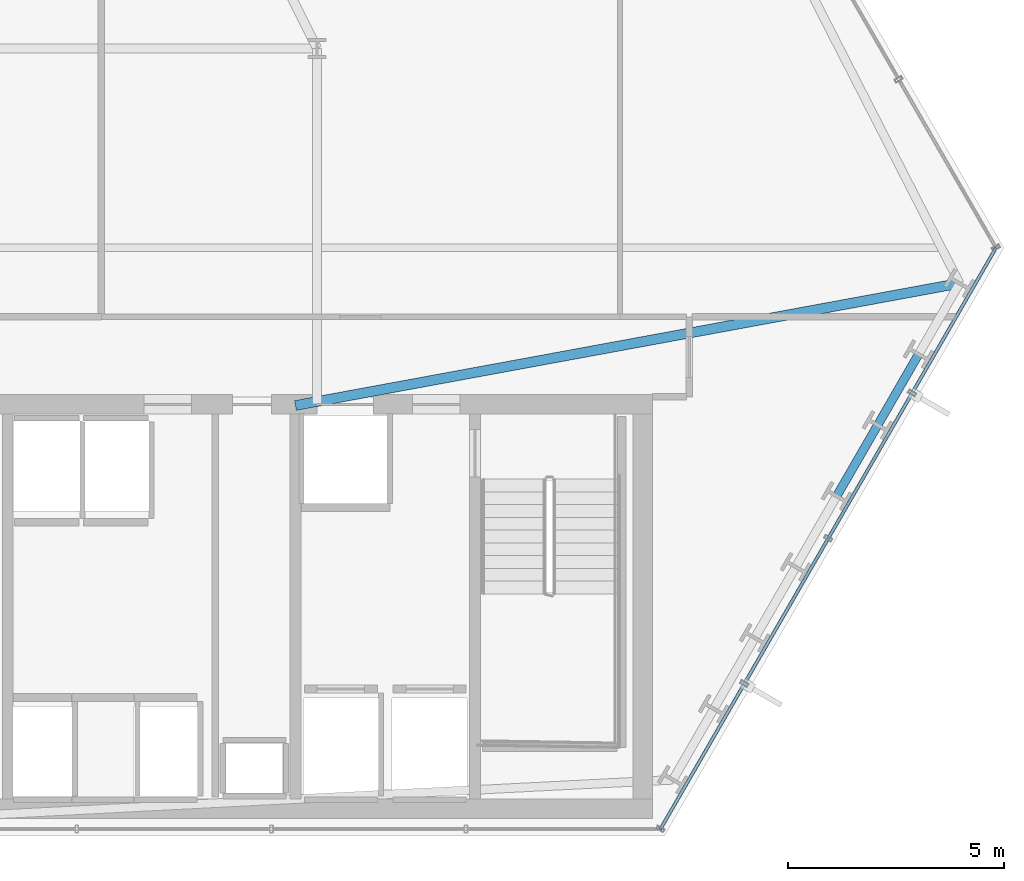
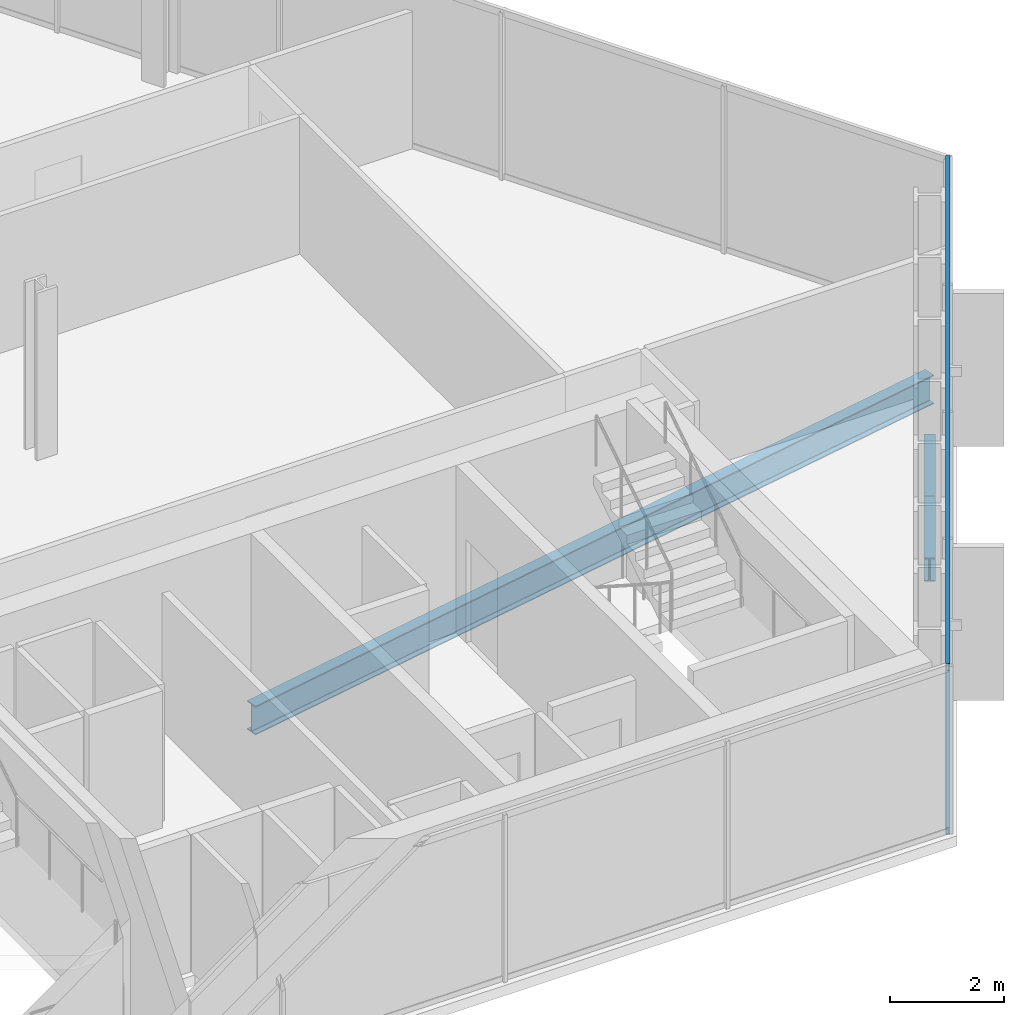
# One storey, part 16 of 32: 3 beams, 2 members, 1 element without a shape of its own.
"""IFC4 building model written with IfcOpenShell, lengths in metres."""

from ifc_helpers import new_model, si_unit, direction, frame, origin, origin_2d, place, context, subcontext, project, spatial, hollow_rectangle, i_section, extrude, material, layer, layer_set, material_profile, profile_set, type_object, element, aggregate, save


model = new_model("IFC4")

# Units and contexts
model_context = context("Model", 3, precision=1e-05, world=origin(), true_north=direction((0.0, 1.0)))
body_context = subcontext(model_context, "Body", "Model", "MODEL_VIEW")
ifc_project = project(units=[si_unit("LENGTHUNIT", "METRE"), si_unit("AREAUNIT", "SQUARE_METRE"), si_unit("VOLUMEUNIT", "CUBIC_METRE"), si_unit("PLANEANGLEUNIT", "RADIAN"), si_unit("MASSUNIT", "GRAM", prefix="KILO")], contexts=[model_context])

# Site, building, storey
site_placement = place(None, origin())
site = spatial("IfcSite", under=ifc_project, at=site_placement, CompositionType="ELEMENT")
building_placement = place(site_placement, origin())
building = spatial("IfcBuilding", under=site, at=building_placement, Name="Ndaravel Arena Tower", CompositionType="ELEMENT")
storey_placement = place(building_placement, frame((0.0, 0.0, 62.60009765625)))
storey = spatial("IfcBuildingStorey", under=building, at=storey_placement, Name="L13", CompositionType="ELEMENT", Elevation=62.60009765625)

# Beams
ifc_material_1 = material(Name="Steel S355", Category="steel")
ifc_material_profile_1 = material_profile(ifc_material_1, i_section(OverallWidth=0.230224609375, OverallDepth=0.6171875, WebThickness=0.01318359375, FlangeThickness=0.022216796875, FilletRadius=0.0126953125, at=origin_2d()), Name="UB 610x229x140")
ifc_profile_set_1 = profile_set([ifc_material_profile_1], Name="Steel S355")
beam_type_1 = type_object("IfcBeamType", Name="BM-GIRD-UB610B", PredefinedType="BEAM", material=ifc_profile_set_1)
beam_1_placement = place(storey_placement, frame((64.6484375, 17.7744140625, -0.52880859375), z_axis=(-0.983485958691, -0.180984444241, 0.0), x_axis=(0.180984444241, -0.983485958691, 0.0)))
element("IfcBeam", 1, at=beam_1_placement, inside=storey, type_object=beam_type_1, Name="L13 Radial Floor Girder FG-09", PredefinedType="BEAM", context=body_context, shape_type="SweptSolid", body=[
    extrude(i_section(OverallWidth=0.230224609375, OverallDepth=0.6171875, WebThickness=0.01318359375, FlangeThickness=0.022216796875, FilletRadius=0.0126953125, at=origin_2d()), origin(), (0.0, 0.0, 1.0), 15.606201171875),
])
ifc_material_2 = material(Name="Steel S355", Category="steel")
ifc_material_profile_2 = material_profile(ifc_material_2, i_section(OverallWidth=0.199951171875, OverallDepth=0.5, WebThickness=0.01025390625, FlangeThickness=0.01611328125, FilletRadius=0.02099609375, at=origin_2d()), Name="IPE 500")
ifc_profile_set_2 = profile_set([ifc_material_profile_2], Name="Steel S355")
beam_type_2 = type_object("IfcBeamType", Name="BM-SPAN-IPE500", PredefinedType="SPANDREL", material=ifc_profile_set_2)
beam_2_placement = place(storey_placement, frame((61.80908203125, 12.856689453125, -0.47021484375), z_axis=(0.500064840575, 0.865987964824, 0.0), x_axis=(-0.865987964824, 0.500064840575, 0.0)))
element("IfcBeam", 2, at=beam_2_placement, inside=storey, type_object=beam_type_2, Name="L13 Perimeter Spandrel Beam SP-06", PredefinedType="SPANDREL", context=body_context, shape_type="SweptSolid", body=[
    extrude(i_section(OverallWidth=0.199951171875, OverallDepth=0.5, WebThickness=0.01025390625, FlangeThickness=0.01611328125, FilletRadius=0.02099609375, at=origin_2d()), origin(), (0.0, 0.0, 1.0), 1.892822265625),
])
beam_3_placement = place(storey_placement, frame((62.755615234375, 14.495849609375, -0.47021484375), z_axis=(0.499968102766, 0.866043818878, 0.0), x_axis=(-0.866043818878, 0.499968102766, 0.0)))
element("IfcBeam", 3, at=beam_3_placement, inside=storey, type_object=beam_type_2, Name="L13 Perimeter Spandrel Beam SP-07", PredefinedType="SPANDREL", context=body_context, shape_type="SweptSolid", body=[
    extrude(i_section(OverallWidth=0.199951171875, OverallDepth=0.5, WebThickness=0.01025390625, FlangeThickness=0.01611328125, FilletRadius=0.02099609375, at=origin_2d()), origin(), (0.0, 0.0, 1.0), 1.892578125),
])

# Curtain wall, members
ifc_material_3 = material(Name="Aluminium", Category="aluminium")
ifc_layer = layer(ifc_material_3, 0.179931640625)
ifc_layer_set = layer_set([ifc_layer], Name="Aluminium")
curtain_wall_type = type_object("IfcCurtainWallType", Name="CW-SYS-01", PredefinedType="NOTDEFINED", material=ifc_layer_set)
curtain_wall_placement = place(storey_placement, origin())
curtain_wall = element("IfcCurtainWall", 4, at=curtain_wall_placement, inside=storey, type_object=curtain_wall_type, Name="L13 Faceted Crystal Curtain Wall CW-L13-E02", PredefinedType="NOTDEFINED")
ifc_material_4 = material(Name="Aluminium", Category="aluminium")
ifc_material_profile_3 = material_profile(ifc_material_4, hollow_rectangle(XDim=0.074951171875, YDim=0.14990234375, WallThickness=0.00390625, at=origin_2d()), Name="CW TRANSOM 75x150x4")
ifc_profile_set_3 = profile_set([ifc_material_profile_3], Name="Aluminium")
member_type = type_object("IfcMemberType", Name="MEM-CW-TRN150", PredefinedType="USERDEFINED", material=ifc_profile_set_3)
member_1_placement = place(storey_placement, frame((57.735107421875, 5.159912109375, 0.039794921875), z_axis=(0.499996743158, 0.866027284115, 0.0), x_axis=(-0.866027284115, 0.499996743158, 0.0)))
member_1 = element("IfcMember", 5, at=member_1_placement, type_object=member_type, Name="CW-L13-E02 Transom 01", ObjectType="TRANSOM", PredefinedType="USERDEFINED", context=body_context, shape_type="SweptSolid", body=[
    extrude(hollow_rectangle(XDim=0.074951171875, YDim=0.14990234375, WallThickness=0.00390625, at=origin_2d()), origin(), (0.0, 0.0, 1.0), 15.51220703125),
])
member_2_placement = place(storey_placement, frame((57.735107421875, 5.159912109375, 3.539794921875), z_axis=(0.499996743158, 0.866027284115, 0.0), x_axis=(-0.866027284115, 0.499996743158, 0.0)))
member_2 = element("IfcMember", 6, at=member_2_placement, type_object=member_type, Name="CW-L13-E02 Transom 02", ObjectType="TRANSOM", PredefinedType="USERDEFINED", context=body_context, shape_type="SweptSolid", body=[
    extrude(hollow_rectangle(XDim=0.074951171875, YDim=0.14990234375, WallThickness=0.00390625, at=origin_2d()), origin(), (0.0, 0.0, 1.0), 15.51220703125),
])
aggregate(curtain_wall, [member_1, member_2])

save(model, "model.ifc")
